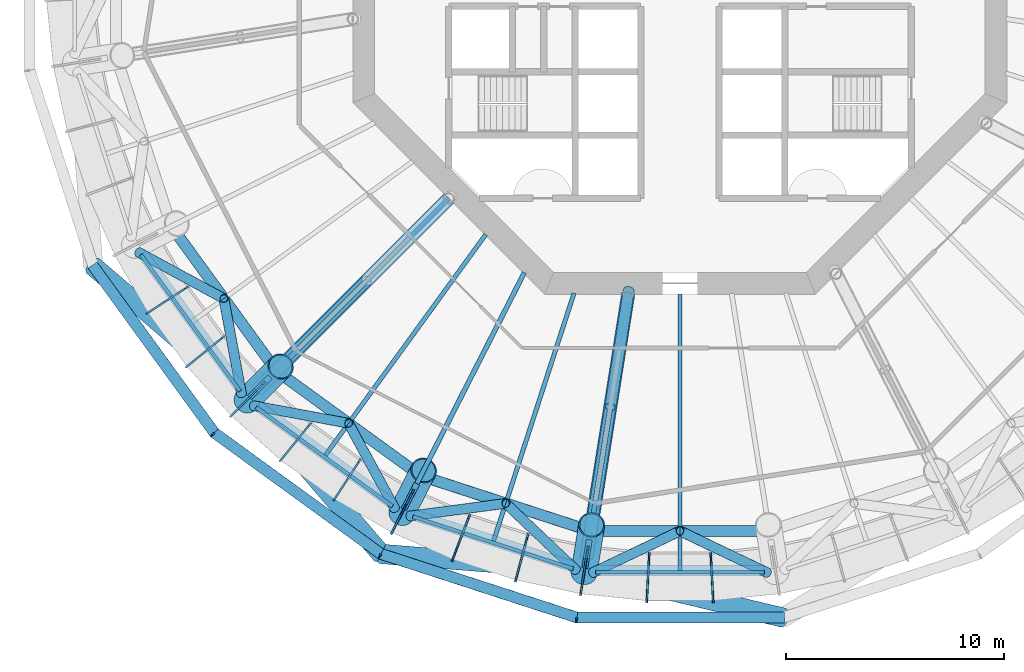
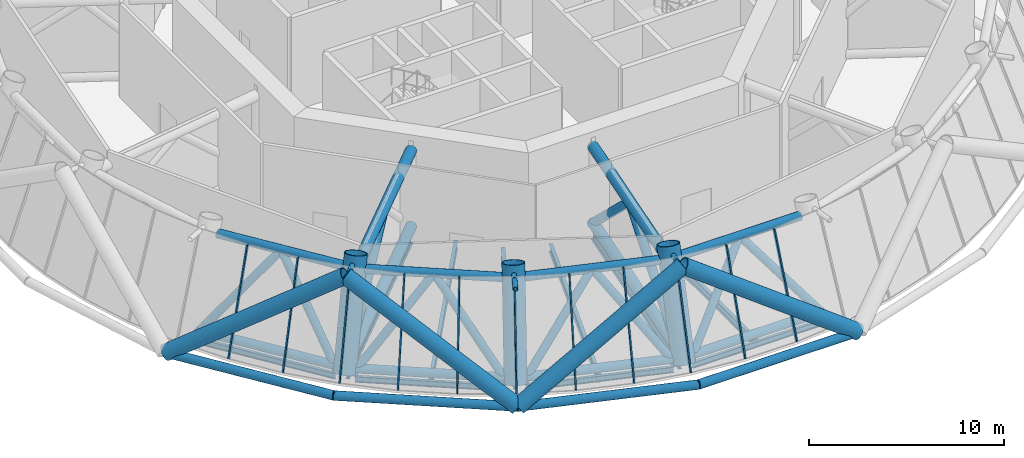
# One storey, part 1 of 15: 48 members, 10 beams, 4 elements without a shape of their own.
"""IFC4 building model written with IfcOpenShell, lengths in metres."""

from ifc_helpers import new_model, si_unit, direction, frame, origin, origin_2d, place, context, subcontext, project, spatial, rectangle, circle, hollow_circle, i_section, extrude, material, layer, layer_set, material_profile, profile_set, type_object, element, aggregate, save


model = new_model("IFC4")

# Units and contexts
model_context = context("Model", 3, precision=1e-05, world=origin(), true_north=direction((0.0, 1.0)))
body_context = subcontext(model_context, "Body", "Model", "MODEL_VIEW")
ifc_project = project(units=[si_unit("LENGTHUNIT", "METRE"), si_unit("AREAUNIT", "SQUARE_METRE"), si_unit("VOLUMEUNIT", "CUBIC_METRE"), si_unit("PLANEANGLEUNIT", "RADIAN"), si_unit("MASSUNIT", "GRAM", prefix="KILO")], contexts=[model_context])

# Site, building, storey
site_placement = place(None, origin())
site = spatial("IfcSite", under=ifc_project, at=site_placement, CompositionType="ELEMENT")
building_placement = place(site_placement, origin())
building = spatial("IfcBuilding", under=site, at=building_placement, Name="Entoto Ring Tower", CompositionType="ELEMENT")
storey_placement = place(building_placement, frame((0.0, 0.0, 200.0)))
storey = spatial("IfcBuildingStorey", under=building, at=storey_placement, Name="L46", CompositionType="ELEMENT", Elevation=200.0)

# Members
ifc_material_1 = material(Name="Steel S355", Category="steel")
ifc_material_profile_1 = material_profile(ifc_material_1, hollow_circle(Radius=0.449951171875, WallThickness=0.044921875, at=origin_2d()), Name="CHS 900 x 45")
ifc_material_2 = material(Name="Concrete C60/75", Category="concrete")
ifc_material_profile_2 = material_profile(ifc_material_2, circle(Radius=0.405029296875, at=origin_2d()), Name="Concrete C60/75 infill")
ifc_profile_set_1 = profile_set([ifc_material_profile_1, ifc_material_profile_2], Name="Steel S355")
member_type_1 = type_object("IfcMemberType", Name="Diagrid diagonal 900 x 45 concrete-filled tube", PredefinedType="BRACE", material=ifc_profile_set_1)
for number, where, z_axis, x_axis, name in (
    (1, (63.091552734375, 66.28955078125, 0.0), (0.639435344437, -0.547626306831, 0.539655323657), (0.650475563514, 0.759527182707, 0.0), "DG2 module 14 12"),
    (2, (76.28955078125, 53.091552734375, 0.0), (-0.547626306831, 0.639435344437, 0.539655323657), (-0.759527182707, -0.650475563514, 0.0), "DG2 module 14 13"),
    (3, (76.28955078125, 53.091552734375, 0.0), (0.839199397204, -0.067171964206, 0.539659428675), (0.079787726213, 0.99681187731, 0.0), "DG2 module 14 14"),
    (4, (94.724365234375, 50.171875, 0.0), (-0.818886187126, 0.195432990063, 0.539658557728), (-0.232137674521, -0.972682939127, 0.0), "DG2 module 14 15"),
):
    element("IfcMember", number, at=place(storey_placement, frame(where, z_axis=z_axis, x_axis=x_axis)), inside=storey, type_object=member_type_1, Name=name, PredefinedType="BRACE", context=body_context, shape_type="SweptSolid", body=[
        extrude(hollow_circle(Radius=0.449951171875, WallThickness=0.044921875, at=origin_2d()), origin(), (0.0, 0.0, 1.0), 11.1181640625),
    ])
ifc_material_3 = material(Name="Steel S355", Category="steel")
ifc_material_profile_3 = material_profile(ifc_material_3, hollow_circle(Radius=0.136474609375, WallThickness=0.012451171875, at=origin_2d()), Name="CHS 273 x 12.5")
ifc_material_4 = material(Name="Concrete C60/75", Category="concrete")
ifc_material_profile_4 = material_profile(ifc_material_4, circle(Radius=0.1240234375, at=origin_2d()), Name="Concrete C60/75 infill")
ifc_profile_set_2 = profile_set([ifc_material_profile_3, ifc_material_profile_4], Name="Steel S355")
member_type_2 = type_object("IfcMemberType", Name="Diagrid node strut 273 x 12.5", PredefinedType="STRUT", material=ifc_profile_set_2)
member_1_placement = place(storey_placement, frame((71.201416015625, 61.201416015625, 5.71337890625), z_axis=(-0.707106781187, -0.707106781187, 0.0), x_axis=(0.707106781187, -0.707106781187, 0.0)))
element("IfcMember", 5, at=member_1_placement, inside=storey, type_object=member_type_2, Name="DS2 strut ring 14 13", PredefinedType="STRUT", context=body_context, shape_type="SweptSolid", body=[
    extrude(hollow_circle(Radius=0.136474609375, WallThickness=0.012451171875, at=origin_2d()), origin(), (0.0, 0.0, 1.0), 1.314697265625),
])
member_2_placement = place(storey_placement, frame((77.9306640625, 56.3125, 5.71337890625), z_axis=(-0.453959157325, -0.891022493252, 0.0), x_axis=(0.891022493252, -0.453959157325, 0.0)))
element("IfcMember", 6, at=member_2_placement, inside=storey, type_object=member_type_2, Name="DS2 strut ring 14 14", PredefinedType="STRUT", context=body_context, shape_type="SweptSolid", body=[
    extrude(hollow_circle(Radius=0.136474609375, WallThickness=0.012451171875, at=origin_2d()), origin(), (0.0, 0.0, 1.0), 1.31494140625),
])
member_3_placement = place(storey_placement, frame((85.841064453125, 53.7421875, 5.71337890625), z_axis=(-0.156353520338, -0.987701157576, 0.0), x_axis=(0.987701157576, -0.156353520338, 0.0)))
element("IfcMember", 7, at=member_3_placement, inside=storey, type_object=member_type_2, Name="DS2 strut ring 14 15", PredefinedType="STRUT", context=body_context, shape_type="SweptSolid", body=[
    extrude(hollow_circle(Radius=0.136474609375, WallThickness=0.012451171875, at=origin_2d()), origin(), (0.0, 0.0, 1.0), 1.314697265625),
])
ifc_material_5 = material(Name="Steel S355", Category="steel")
ifc_material_profile_5 = material_profile(ifc_material_5, hollow_circle(Radius=0.25390625, WallThickness=0.030029296875, at=origin_2d()), Name="CHS 508 x 30")
ifc_material_6 = material(Name="Concrete C60/75", Category="concrete")
ifc_material_profile_6 = material_profile(ifc_material_6, circle(Radius=0.22412109375, at=origin_2d()), Name="Concrete C60/75 infill")
ifc_profile_set_3 = profile_set([ifc_material_profile_5, ifc_material_profile_6], Name="Steel S355")
member_type_3 = type_object("IfcMemberType", Name="Diagrid ring beam 508 x 30", PredefinedType="CHORD", material=ifc_profile_set_3)
for number, where, z_axis, x_axis, name in (
    (8, (63.05615234375, 66.338134765625, 0.0), (0.587786303985, -0.809016230274, 0.0), (0.809016230274, 0.587786303985, 0.0), "DR2 ring 13 11"),
    (9, (68.5966796875, 58.6806640625, 0.0), (0.809016230274, -0.587786303985, 0.0), (0.587786303985, 0.809016230274, 0.0), "DR2 ring 13 12"),
    (10, (76.232177734375, 53.110107421875, 0.0), (0.951064250524, -0.308993189852, 0.0), (0.308993189852, 0.951064250524, 0.0), "DR2 ring 13 13"),
):
    element("IfcMember", number, at=place(storey_placement, frame(where, z_axis=z_axis, x_axis=x_axis)), inside=storey, type_object=member_type_3, Name=name, PredefinedType="CHORD", context=body_context, shape_type="SweptSolid", body=[
        extrude(hollow_circle(Radius=0.25390625, WallThickness=0.030029296875, at=origin_2d()), origin(), (0.0, 0.0, 1.0), 9.569091796875),
    ])
member_4_placement = place(storey_placement, frame((85.21533203125, 50.171875, 0.0), z_axis=(1.0, 0.0, 0.0), x_axis=(0.0, 1.0, 0.0)))
element("IfcMember", 11, at=member_4_placement, inside=storey, type_object=member_type_3, Name="DR2 ring 13 14", PredefinedType="CHORD", context=body_context, shape_type="SweptSolid", body=[
    extrude(hollow_circle(Radius=0.25390625, WallThickness=0.030029296875, at=origin_2d()), origin(), (0.0, 0.0, 1.0), 9.5693359375),
])

# Beams
ifc_material_7 = material(Name="Steel S355", Category="steel")
ifc_material_profile_7 = material_profile(ifc_material_7, i_section(OverallWidth=0.169921875, OverallDepth=0.360107421875, WebThickness=0.008056640625, FlangeThickness=0.0126953125, FilletRadius=0.01806640625, at=origin_2d()), Name="IPE 360")
ifc_profile_set_4 = profile_set([ifc_material_profile_7], Name="Steel S355")
beam_type_1 = type_object("IfcBeamType", Name="Edge beam IPE 360", PredefinedType="SPANDREL", material=ifc_profile_set_4)
for number, where, z_axis, x_axis, name in (
    (12, (65.270263671875, 66.819580078125, -0.330078125), (0.587791153253, -0.809012707043, 0.0), (0.809012707043, 0.587791153253, 0.0), "Edge beam L46 12"),
    (13, (70.5537109375, 59.82275390625, -0.330078125), (0.809012707043, -0.587791153253, 0.0), (0.587791153253, 0.809012707043, 0.0), "Edge beam L46 13"),
    (14, (77.740478515625, 54.801025390625, -0.330078125), (0.951057925874, -0.309012656105, 0.0), (0.309012656105, 0.951057925874, 0.0), "Edge beam L46 14"),
    (15, (86.12744140625, 52.245849609375, -0.330078125), (1.0, 0.0, 0.0), (0.0, 1.0, 0.0), "Edge beam L46 15"),
):
    element("IfcBeam", number, at=place(storey_placement, frame(where, z_axis=z_axis, x_axis=x_axis)), inside=storey, type_object=beam_type_1, Name=name, PredefinedType="SPANDREL", context=body_context, shape_type="SweptSolid", body=[
        extrude(i_section(OverallWidth=0.169921875, OverallDepth=0.360107421875, WebThickness=0.008056640625, FlangeThickness=0.0126953125, FilletRadius=0.01806640625, at=origin_2d()), origin(), (0.0, 0.0, 1.0), 7.7451171875),
    ])

# Curtain wall, members
ifc_material_8 = material(Name="Anodised aluminium", Category="aluminium")
ifc_layer = layer(ifc_material_8, 0.10009765625)
ifc_layer_set = layer_set([ifc_layer], Name="Anodised aluminium")
curtain_wall_type = type_object("IfcCurtainWallType", Name="Louvre curtain wall system CW7", PredefinedType="NOTDEFINED", material=ifc_layer_set)
curtain_wall_1_placement = place(storey_placement, origin())
curtain_wall_1 = element("IfcCurtainWall", 16, at=curtain_wall_1_placement, inside=storey, type_object=curtain_wall_type, Name="CW7 L46-12", PredefinedType="NOTDEFINED")
ifc_material_9 = material(Name="Anodised aluminium", Category="aluminium")
ifc_material_profile_8 = material_profile(ifc_material_9, rectangle(XDim=0.080078125, YDim=0.199951171875, at=origin_2d()), Name="Mullion 80 x 200 mm anodised aluminium")
ifc_profile_set_5 = profile_set([ifc_material_profile_8], Name="Anodised aluminium")
member_type_4 = type_object("IfcMemberType", Name="Mullion 80 x 200 mm anodised aluminium", PredefinedType="MULLION", material=ifc_profile_set_5)
member_5_placement = place(storey_placement, frame((65.599853515625, 64.154296875, 0.034423828125), z_axis=(0.288719812628, 0.187497389991, 0.938874644744), x_axis=(-0.544640161527, 0.838669836379, 0.0)))
member_5 = element("IfcMember", 17, at=member_5_placement, type_object=member_type_4, Name="MULLION L46-34", PredefinedType="MULLION", context=body_context, shape_type="SweptSolid", body=[
    extrude(rectangle(XDim=0.080078125, YDim=0.199951171875, at=origin_2d()), origin(), (0.0, 0.0, 1.0), 6.15771484375),
])
member_6_placement = place(storey_placement, frame((67.389892578125, 61.690673828125, 0.034423828125), z_axis=(0.267510778801, 0.216641306561, 0.938884725361), x_axis=(-0.629347320868, 0.777124153348, 0.0)))
member_6 = element("IfcMember", 18, at=member_6_placement, type_object=member_type_4, Name="MULLION L46-35", PredefinedType="MULLION", context=body_context, shape_type="SweptSolid", body=[
    extrude(rectangle(XDim=0.080078125, YDim=0.199951171875, at=origin_2d()), origin(), (0.0, 0.0, 1.0), 6.157470703125),
])
aggregate(curtain_wall_1, [member_5, member_6])

curtain_wall_2_placement = place(storey_placement, origin())
curtain_wall_2 = element("IfcCurtainWall", 19, at=curtain_wall_2_placement, inside=storey, type_object=curtain_wall_type, Name="CW7 L46-13", PredefinedType="NOTDEFINED")
member_7_placement = place(storey_placement, frame((69.427490234375, 59.427490234375, 0.034423828125), z_axis=(0.243439738428, 0.243439738428, 0.938868567749), x_axis=(-0.707106781187, 0.707106781187, 0.0)))
member_7 = element("IfcMember", 20, at=member_7_placement, type_object=member_type_4, Name="MULLION L46-36", PredefinedType="MULLION", context=body_context, shape_type="SweptSolid", body=[
    extrude(rectangle(XDim=0.080078125, YDim=0.199951171875, at=origin_2d()), origin(), (0.0, 0.0, 1.0), 6.15771484375),
])
member_8_placement = place(storey_placement, frame((71.690673828125, 57.389892578125, 0.034423828125), z_axis=(0.216641306561, 0.267510778801, 0.938884725361), x_axis=(-0.777124153348, 0.629347320868, 0.0)))
member_8 = element("IfcMember", 21, at=member_8_placement, type_object=member_type_4, Name="MULLION L46-37", PredefinedType="MULLION", context=body_context, shape_type="SweptSolid", body=[
    extrude(rectangle(XDim=0.080078125, YDim=0.199951171875, at=origin_2d()), origin(), (0.0, 0.0, 1.0), 6.157470703125),
])
member_9_placement = place(storey_placement, frame((74.154296875, 55.599853515625, 0.034423828125), z_axis=(0.187497389991, 0.288719812628, 0.938874644744), x_axis=(-0.838669836379, 0.544640161527, 0.0)))
member_9 = element("IfcMember", 22, at=member_9_placement, type_object=member_type_4, Name="MULLION L46-38", PredefinedType="MULLION", context=body_context, shape_type="SweptSolid", body=[
    extrude(rectangle(XDim=0.080078125, YDim=0.199951171875, at=origin_2d()), origin(), (0.0, 0.0, 1.0), 6.15771484375),
])
aggregate(curtain_wall_2, [member_7, member_8, member_9])

curtain_wall_3_placement = place(storey_placement, origin())
curtain_wall_3 = element("IfcCurtainWall", 23, at=curtain_wall_3_placement, inside=storey, type_object=curtain_wall_type, Name="CW7 L46-14", PredefinedType="NOTDEFINED")
member_10_placement = place(storey_placement, frame((76.791748046875, 54.0771484375, 0.034423828125), z_axis=(0.156256126475, 0.30672352053, 0.938884819822), x_axis=(-0.891038617863, 0.453927506851, 0.0)))
member_10 = element("IfcMember", 24, at=member_10_placement, type_object=member_type_4, Name="MULLION L46-39", PredefinedType="MULLION", context=body_context, shape_type="SweptSolid", body=[
    extrude(rectangle(XDim=0.080078125, YDim=0.199951171875, at=origin_2d()), origin(), (0.0, 0.0, 1.0), 6.157470703125),
])
member_11_placement = place(storey_placement, frame((79.57373046875, 52.838623046875, 0.034423828125), z_axis=(0.123348338405, 0.321355925032, 0.938890598983), x_axis=(-0.933588827568, 0.358346063241, 0.0)))
member_11 = element("IfcMember", 25, at=member_11_placement, type_object=member_type_4, Name="MULLION L46-40", PredefinedType="MULLION", context=body_context, shape_type="SweptSolid", body=[
    extrude(rectangle(XDim=0.080078125, YDim=0.199951171875, at=origin_2d()), origin(), (0.0, 0.0, 1.0), 6.157470703125),
])
member_12_placement = place(storey_placement, frame((82.469970703125, 51.8974609375, 0.034423828125), z_axis=(0.089090018447, 0.332531368364, 0.938874782741), x_axis=(-0.965934172097, 0.258787896113, 0.0)))
member_12 = element("IfcMember", 26, at=member_12_placement, type_object=member_type_4, Name="MULLION L46-41", PredefinedType="MULLION", context=body_context, shape_type="SweptSolid", body=[
    extrude(rectangle(XDim=0.080078125, YDim=0.199951171875, at=origin_2d()), origin(), (0.0, 0.0, 1.0), 6.15771484375),
])
aggregate(curtain_wall_3, [member_10, member_11, member_12])

curtain_wall_4_placement = place(storey_placement, origin())
curtain_wall_4 = element("IfcCurtainWall", 27, at=curtain_wall_4_placement, inside=storey, type_object=curtain_wall_type, Name="CW7 L46-15", PredefinedType="NOTDEFINED")
member_13_placement = place(storey_placement, frame((85.44873046875, 51.264404296875, 0.034423828125), z_axis=(0.053843242336, 0.339989545679, 0.938886582119), x_axis=(-0.987690949022, 0.156417995192, 0.0)))
member_13 = element("IfcMember", 28, at=member_13_placement, type_object=member_type_4, Name="MULLION L46-42", PredefinedType="MULLION", context=body_context, shape_type="SweptSolid", body=[
    extrude(rectangle(XDim=0.080078125, YDim=0.199951171875, at=origin_2d()), origin(), (0.0, 0.0, 1.0), 6.157470703125),
])
member_14_placement = place(storey_placement, frame((88.477294921875, 50.946044921875, 0.034423828125), z_axis=(0.018040245499, 0.343755886761, 0.938885743773), x_axis=(-0.998625772436, 0.052407696247, 0.0)))
member_14 = element("IfcMember", 29, at=member_14_placement, type_object=member_type_4, Name="MULLION L46-43", PredefinedType="MULLION", context=body_context, shape_type="SweptSolid", body=[
    extrude(rectangle(XDim=0.080078125, YDim=0.199951171875, at=origin_2d()), origin(), (0.0, 0.0, 1.0), 6.157470703125),
])
member_15_placement = place(storey_placement, frame((91.522705078125, 50.946044921875, 0.034423828125), z_axis=(-0.018040245499, 0.343755886761, 0.938885743773), x_axis=(-0.998625772436, -0.052407696247, 0.0)))
member_15 = element("IfcMember", 30, at=member_15_placement, type_object=member_type_4, Name="MULLION L46-44", PredefinedType="MULLION", context=body_context, shape_type="SweptSolid", body=[
    extrude(rectangle(XDim=0.080078125, YDim=0.199951171875, at=origin_2d()), origin(), (0.0, 0.0, 1.0), 6.157470703125),
])
aggregate(curtain_wall_4, [member_13, member_14, member_15])

# Members
ifc_material_10 = material(Name="Steel S355", Category="steel")
ifc_material_profile_9 = material_profile(ifc_material_10, hollow_circle(Radius=0.304931640625, WallThickness=0.030029296875, at=origin_2d()), Name="CHS 610 x 30")
ifc_material_11 = material(Name="Concrete C60/75", Category="concrete")
ifc_material_profile_10 = material_profile(ifc_material_11, circle(Radius=0.27490234375, at=origin_2d()), Name="Concrete C60/75 infill")
ifc_profile_set_6 = profile_set([ifc_material_profile_9, ifc_material_profile_10], Name="Steel S355")
member_type_5 = type_object("IfcMemberType", Name="Outrigger chord 610 x 30", PredefinedType="CHORD", material=ifc_profile_set_6)
member_16_placement = place(storey_placement, frame((79.407470703125, 69.407470703125, 0.304931640625), z_axis=(-0.707106781187, -0.707106781187, 0.0), x_axis=(0.707106781187, -0.707106781187, 0.0)))
element("IfcMember", 31, at=member_16_placement, inside=storey, type_object=member_type_5, Name="OR1B L46 bottom 07", PredefinedType="CHORD", context=body_context, shape_type="SweptSolid", body=[
    extrude(hollow_circle(Radius=0.304931640625, WallThickness=0.030029296875, at=origin_2d()), origin(), (0.0, 0.0, 1.0), 12.47802734375),
])
member_17_placement = place(storey_placement, frame((79.407470703125, 69.407470703125, 5.044921875), z_axis=(-0.707106781187, -0.707106781187, 0.0), x_axis=(0.707106781187, -0.707106781187, 0.0)))
element("IfcMember", 32, at=member_17_placement, inside=storey, type_object=member_type_5, Name="OR1B L46 top 07", PredefinedType="CHORD", context=body_context, shape_type="SweptSolid", body=[
    extrude(hollow_circle(Radius=0.304931640625, WallThickness=0.030029296875, at=origin_2d()), origin(), (0.0, 0.0, 1.0), 10.739990234375),
])
member_18_placement = place(storey_placement, frame((87.635009765625, 65.0673828125, 0.304931640625), z_axis=(-0.156446183477, -0.987686484506, 0.0), x_axis=(0.987686484506, -0.156446183477, 0.0)))
element("IfcMember", 33, at=member_18_placement, inside=storey, type_object=member_type_5, Name="OR1B L46 bottom 08", PredefinedType="CHORD", context=body_context, shape_type="SweptSolid", body=[
    extrude(hollow_circle(Radius=0.304931640625, WallThickness=0.030029296875, at=origin_2d()), origin(), (0.0, 0.0, 1.0), 12.339111328125),
])
member_19_placement = place(storey_placement, frame((87.635009765625, 65.0673828125, 5.044921875), z_axis=(-0.156439140715, -0.98768760003, 0.0), x_axis=(0.98768760003, -0.156439140715, 0.0)))
element("IfcMember", 34, at=member_19_placement, inside=storey, type_object=member_type_5, Name="OR1B L46 top 08", PredefinedType="CHORD", context=body_context, shape_type="SweptSolid", body=[
    extrude(hollow_circle(Radius=0.304931640625, WallThickness=0.030029296875, at=origin_2d()), origin(), (0.0, 0.0, 1.0), 10.601318359375),
])
ifc_material_12 = material(Name="Steel S355", Category="steel")
ifc_material_profile_11 = material_profile(ifc_material_12, hollow_circle(Radius=0.25390625, WallThickness=0.030029296875, at=origin_2d()), Name="CHS 508 x 30")
ifc_material_13 = material(Name="Concrete C60/75", Category="concrete")
ifc_material_profile_12 = material_profile(ifc_material_13, circle(Radius=0.22412109375, at=origin_2d()), Name="Concrete C60/75 infill")
ifc_profile_set_7 = profile_set([ifc_material_profile_11, ifc_material_profile_12], Name="Steel S355")
member_type_6 = type_object("IfcMemberType", Name="Outrigger diagonal 508 x 30", PredefinedType="BRACE", material=ifc_profile_set_7)
member_20_placement = place(storey_placement, frame((75.6279296875, 65.6279296875, 5.044921875), z_axis=(-0.587151050973, -0.587151050973, -0.557231806956), x_axis=(0.707106781187, -0.707106781187, 0.0)))
element("IfcMember", 35, at=member_20_placement, inside=storey, type_object=member_type_6, Name="OR2B L46 07 2", PredefinedType="BRACE", context=body_context, shape_type="SweptSolid", body=[
    extrude(hollow_circle(Radius=0.25390625, WallThickness=0.030029296875, at=origin_2d()), origin(), (0.0, 0.0, 1.0), 8.649658203125),
])
member_21_placement = place(storey_placement, frame((87.654052734375, 65.187744140625, 0.1328125), z_axis=(-0.115929950961, -0.731953812431, 0.671419289966), x_axis=(0.98768837061, -0.156434275531, 0.0)))
element("IfcMember", 36, at=member_21_placement, inside=storey, type_object=member_type_6, Name="OR2B L46 08 1", PredefinedType="BRACE", context=body_context, shape_type="SweptSolid", body=[
    extrude(hollow_circle(Radius=0.25390625, WallThickness=0.030029296875, at=origin_2d()), origin(), (0.0, 0.0, 1.0), 7.31591796875),
])
member_22_placement = place(storey_placement, frame((86.805908203125, 59.832763671875, 5.044921875), z_axis=(-0.129356416621, -0.816713646916, -0.562357303162), x_axis=(0.987688026165, -0.156436450262, 0.0)))
element("IfcMember", 37, at=member_22_placement, inside=storey, type_object=member_type_6, Name="OR2B L46 08 2", PredefinedType="BRACE", context=body_context, shape_type="SweptSolid", body=[
    extrude(hollow_circle(Radius=0.25390625, WallThickness=0.030029296875, at=origin_2d()), origin(), (0.0, 0.0, 1.0), 8.57421875),
])

# Beams
ifc_material_14 = material(Name="Steel S355", Category="steel")
ifc_material_profile_13 = material_profile(ifc_material_14, i_section(OverallWidth=0.219970703125, OverallDepth=0.60009765625, WebThickness=0.011962890625, FlangeThickness=0.01904296875, FilletRadius=0.02392578125, at=origin_2d()), Name="IPE 600")
ifc_profile_set_8 = profile_set([ifc_material_profile_13], Name="Steel S355")
beam_type_2 = type_object("IfcBeamType", Name="Primary floor beam IPE 600", PredefinedType="BEAM", material=ifc_profile_set_8)
beam_1_placement = place(storey_placement, frame((79.407470703125, 69.407470703125, -0.449951171875), z_axis=(-0.707106781187, -0.707106781187, 0.0), x_axis=(0.707106781187, -0.707106781187, 0.0)))
element("IfcBeam", 38, at=beam_1_placement, inside=storey, type_object=beam_type_2, Name="Primary L46 R13", PredefinedType="BEAM", context=body_context, shape_type="SweptSolid", body=[
    extrude(i_section(OverallWidth=0.219970703125, OverallDepth=0.60009765625, WebThickness=0.011962890625, FlangeThickness=0.01904296875, FilletRadius=0.02392578125, at=origin_2d()), origin(), (0.0, 0.0, 1.0), 12.601318359375),
])
beam_2_placement = place(storey_placement, frame((82.864990234375, 65.996826171875, -0.449951171875), z_axis=(-0.453982805399, -0.891010444609, 0.0), x_axis=(0.891010444609, -0.453982805399, 0.0)))
element("IfcBeam", 39, at=beam_2_placement, inside=storey, type_object=beam_type_2, Name="Primary L46 R14", PredefinedType="BEAM", context=body_context, shape_type="SweptSolid", body=[
    extrude(i_section(OverallWidth=0.219970703125, OverallDepth=0.60009765625, WebThickness=0.011962890625, FlangeThickness=0.01904296875, FilletRadius=0.02392578125, at=origin_2d()), origin(), (0.0, 0.0, 1.0), 11.864990234375),
])
beam_3_placement = place(storey_placement, frame((87.630126953125, 65.036865234375, -0.449951171875), z_axis=(-0.156441579247, -0.987687213789, 0.0), x_axis=(0.987687213789, -0.156441579247, 0.0)))
element("IfcBeam", 40, at=beam_3_placement, inside=storey, type_object=beam_type_2, Name="Primary L46 R15", PredefinedType="BEAM", context=body_context, shape_type="SweptSolid", body=[
    extrude(i_section(OverallWidth=0.219970703125, OverallDepth=0.60009765625, WebThickness=0.011962890625, FlangeThickness=0.01904296875, FilletRadius=0.02392578125, at=origin_2d()), origin(), (0.0, 0.0, 1.0), 12.431640625),
])

# Members
ifc_material_15 = material(Name="Steel S355", Category="steel")
ifc_material_profile_14 = material_profile(ifc_material_15, hollow_circle(Radius=0.60009765625, WallThickness=0.054931640625, at=origin_2d()), Name="CHS 1200 x 55")
ifc_material_16 = material(Name="Concrete C60/75", Category="concrete")
ifc_material_profile_15 = material_profile(ifc_material_16, circle(Radius=0.544921875, at=origin_2d()), Name="Concrete C60/75 infill")
ifc_profile_set_9 = profile_set([ifc_material_profile_14, ifc_material_profile_15], Name="Steel S355")
member_type_7 = type_object("IfcMemberType", Name="Ring column jog 1200 x 55 concrete-filled tube", PredefinedType="STRUT", material=ifc_profile_set_9)
for number, where, z_axis, x_axis, name in (
    (41, (70.13037109375, 60.13037109375, 0.0), (0.243428816819, 0.243428816819, 0.938874231346), (-0.707106781187, 0.707106781187, 0.0), "RJ3B R13"),
    (42, (77.242919921875, 54.962646484375, 0.0), (0.156288439927, 0.306731822092, 0.938876729322), (-0.891005618941, 0.453992276384, 0.0), "RJ3B R14"),
    (43, (85.604248046875, 52.245849609375, 0.0), (0.053827545825, 0.340041863298, 0.938868535267), (-0.987701708488, 0.156350040137, 0.0), "RJ3B R15"),
):
    element("IfcMember", number, at=place(storey_placement, frame(where, z_axis=z_axis, x_axis=x_axis)), inside=storey, type_object=member_type_7, Name=name, PredefinedType="STRUT", context=body_context, shape_type="SweptSolid", body=[
        extrude(hollow_circle(Radius=0.60009765625, WallThickness=0.054931640625, at=origin_2d()), origin(), (0.0, 0.0, 1.0), 6.390625),
    ])
ifc_material_17 = material(Name="Steel S355", Category="steel")
ifc_material_profile_16 = material_profile(ifc_material_17, hollow_circle(Radius=0.25390625, WallThickness=0.030029296875, at=origin_2d()), Name="CHS 508 x 30")
ifc_material_18 = material(Name="Concrete C60/75", Category="concrete")
ifc_material_profile_17 = material_profile(ifc_material_18, circle(Radius=0.22412109375, at=origin_2d()), Name="Concrete C60/75 infill")
ifc_profile_set_10 = profile_set([ifc_material_profile_16, ifc_material_profile_17], Name="Steel S355")
member_type_8 = type_object("IfcMemberType", Name="Ring truss chord 508 x 30", PredefinedType="CHORD", material=ifc_profile_set_10)
member_23_placement = place(storey_placement, frame((65.355224609375, 66.859130859375, 0.25390625), z_axis=(0.587785626143, -0.809016722756, 0.0), x_axis=(0.809016722756, 0.587785626143, 0.0)))
element("IfcMember", 44, at=member_23_placement, inside=storey, type_object=member_type_8, Name="BT1 L46 bottom 12", PredefinedType="CHORD", context=body_context, shape_type="SweptSolid", body=[
    extrude(hollow_circle(Radius=0.25390625, WallThickness=0.030029296875, at=origin_2d()), origin(), (0.0, 0.0, 1.0), 7.70947265625),
])
member_24_placement = place(storey_placement, frame((66.98291015625, 67.6884765625, 5.236083984375), z_axis=(0.587787257786, -0.809015537295, 0.0), x_axis=(0.809015537295, 0.587787257786, 0.0)))
element("IfcMember", 45, at=member_24_placement, inside=storey, type_object=member_type_8, Name="BT1 L46 top 12", PredefinedType="CHORD", context=body_context, shape_type="SweptSolid", body=[
    extrude(hollow_circle(Radius=0.25390625, WallThickness=0.030029296875, at=origin_2d()), origin(), (0.0, 0.0, 1.0), 7.137939453125),
])
member_25_placement = place(storey_placement, frame((70.6220703125, 59.88671875, 0.25390625), z_axis=(0.809016722756, -0.587785626143, 0.0), x_axis=(0.587785626143, 0.809016722756, 0.0)))
element("IfcMember", 46, at=member_25_placement, inside=storey, type_object=member_type_8, Name="BT1 L46 bottom 13", PredefinedType="CHORD", context=body_context, shape_type="SweptSolid", body=[
    extrude(hollow_circle(Radius=0.25390625, WallThickness=0.030029296875, at=origin_2d()), origin(), (0.0, 0.0, 1.0), 7.70947265625),
])
member_26_placement = place(storey_placement, frame((71.913818359375, 61.178466796875, 5.236083984375), z_axis=(0.809015537295, -0.587787257786, 0.0), x_axis=(0.587787257786, 0.809015537295, 0.0)))
element("IfcMember", 47, at=member_26_placement, inside=storey, type_object=member_type_8, Name="BT1 L46 top 13", PredefinedType="CHORD", context=body_context, shape_type="SweptSolid", body=[
    extrude(hollow_circle(Radius=0.25390625, WallThickness=0.030029296875, at=origin_2d()), origin(), (0.0, 0.0, 1.0), 7.137939453125),
])
member_27_placement = place(storey_placement, frame((77.785888671875, 54.883056640625, 0.25390625), z_axis=(0.951056407564, -0.309017329016, 0.0), x_axis=(0.309017329016, 0.951056407564, 0.0)))
element("IfcMember", 48, at=member_27_placement, inside=storey, type_object=member_type_8, Name="BT1 L46 bottom 14", PredefinedType="CHORD", context=body_context, shape_type="SweptSolid", body=[
    extrude(hollow_circle(Radius=0.25390625, WallThickness=0.030029296875, at=origin_2d()), origin(), (0.0, 0.0, 1.0), 7.70947265625),
])
member_28_placement = place(storey_placement, frame((78.615234375, 56.510498046875, 5.236083984375), z_axis=(0.95106372418, -0.308994809906, 0.0), x_axis=(0.308994809906, 0.95106372418, 0.0)))
element("IfcMember", 49, at=member_28_placement, inside=storey, type_object=member_type_8, Name="BT1 L46 top 14", PredefinedType="CHORD", context=body_context, shape_type="SweptSolid", body=[
    extrude(hollow_circle(Radius=0.25390625, WallThickness=0.030029296875, at=origin_2d()), origin(), (0.0, 0.0, 1.0), 7.137939453125),
])
member_29_placement = place(storey_placement, frame((86.145263671875, 52.337890625, 0.25390625), z_axis=(1.0, 0.0, 0.0), x_axis=(0.0, 1.0, 0.0)))
element("IfcMember", 50, at=member_29_placement, inside=storey, type_object=member_type_8, Name="BT1 L46 bottom 15", PredefinedType="CHORD", context=body_context, shape_type="SweptSolid", body=[
    extrude(hollow_circle(Radius=0.25390625, WallThickness=0.030029296875, at=origin_2d()), origin(), (0.0, 0.0, 1.0), 7.70947265625),
])
member_30_placement = place(storey_placement, frame((86.43115234375, 54.14208984375, 5.236083984375), z_axis=(1.0, 0.0, 0.0), x_axis=(0.0, 1.0, 0.0)))
element("IfcMember", 51, at=member_30_placement, inside=storey, type_object=member_type_8, Name="BT1 L46 top 15", PredefinedType="CHORD", context=body_context, shape_type="SweptSolid", body=[
    extrude(hollow_circle(Radius=0.25390625, WallThickness=0.030029296875, at=origin_2d()), origin(), (0.0, 0.0, 1.0), 7.1376953125),
])
ifc_material_19 = material(Name="Steel S355", Category="steel")
ifc_material_profile_18 = material_profile(ifc_material_19, hollow_circle(Radius=0.228515625, WallThickness=0.02001953125, at=origin_2d()), Name="CHS 457 x 20")
ifc_material_20 = material(Name="Concrete C60/75", Category="concrete")
ifc_material_profile_19 = material_profile(ifc_material_20, circle(Radius=0.20849609375, at=origin_2d()), Name="Concrete C60/75 infill")
ifc_profile_set_11 = profile_set([ifc_material_profile_18, ifc_material_profile_19], Name="Steel S355")
member_type_9 = type_object("IfcMemberType", Name="Ring truss diagonal 457 x 20", PredefinedType="BRACE", material=ifc_profile_set_11)
for number, where, z_axis, x_axis, name in (
    (52, (65.1796875, 66.91845703125, -0.041748046875), (0.565672492401, -0.307016638759, 0.765346597867), (0.477016600018, 0.878894284489, 0.0), "BT2 L46 12 a"),
    (53, (69.08056640625, 64.80126953125, 5.236083984375), (0.117184081694, -0.632864847242, -0.765343044734), (0.983285652394, 0.182069563069, 0.0), "BT2 L46 12 b"),
    (54, (70.43701171875, 59.888671875, -0.041748046875), (0.632864847242, -0.117184081694, 0.765343044734), (0.182069563069, 0.983285652394, 0.0), "BT2 L46 13 a"),
    (55, (74.80126953125, 59.08056640625, 5.236083984375), (0.307016638759, -0.565672492401, -0.765346597867), (0.878894284489, 0.477016600018, 0.0), "BT2 L46 13 b"),
    (56, (77.609130859375, 54.827880859375, -0.041748046875), (0.638105407781, 0.084082353722, 0.765344135898), (-0.130639486565, 0.991429939305, 0.0), "BT2 L46 14 a"),
    (57, (82.009521484375, 55.40771484375, 5.236083984375), (0.466792960745, -0.4431081302, -0.765349277618), (0.688467508052, 0.725267185496, 0.0), "BT2 L46 14 b"),
    (58, (85.994140625, 52.230712890625, -0.041748046875), (0.580890180313, 0.277169016435, 0.76533909788), (-0.430635910713, 0.902525740577, 0.0), "BT2 L46 15 a"),
    (59, (90.0, 54.14208984375, 5.236083984375), (0.580890180313, -0.277169016435, -0.76533909788), (0.430635910713, 0.902525740577, 0.0), "BT2 L46 15 b"),
):
    element("IfcMember", number, at=place(storey_placement, frame(where, z_axis=z_axis, x_axis=x_axis)), inside=storey, type_object=member_type_9, Name=name, PredefinedType="BRACE", context=body_context, shape_type="SweptSolid", body=[
        extrude(hollow_circle(Radius=0.228515625, WallThickness=0.02001953125, at=origin_2d()), origin(), (0.0, 0.0, 1.0), 6.89599609375),
    ])

# Beams
ifc_material_21 = material(Name="Steel S355", Category="steel")
ifc_material_profile_20 = material_profile(ifc_material_21, i_section(OverallWidth=0.199951171875, OverallDepth=0.5, WebThickness=0.01025390625, FlangeThickness=0.01611328125, FilletRadius=0.02099609375, at=origin_2d()), Name="IPE 500")
ifc_profile_set_12 = profile_set([ifc_material_profile_20], Name="Steel S355")
beam_type_3 = type_object("IfcBeamType", Name="Secondary floor beam IPE 500", PredefinedType="JOIST", material=ifc_profile_set_12)
beam_4_placement = place(storey_placement, frame((81.094482421875, 67.742431640625, -0.39990234375), z_axis=(-0.587788946436, -0.80901431041, 0.0), x_axis=(0.80901431041, -0.587788946436, 0.0)))
element("IfcBeam", 60, at=beam_4_placement, inside=storey, type_object=beam_type_3, Name="Secondary beam L46 13", PredefinedType="JOIST", context=body_context, shape_type="SweptSolid", body=[
    extrude(i_section(OverallWidth=0.199951171875, OverallDepth=0.5, WebThickness=0.01025390625, FlangeThickness=0.01611328125, FilletRadius=0.02099609375, at=origin_2d()), origin(), (0.0, 0.0, 1.0), 12.51806640625),
])
beam_5_placement = place(storey_placement, frame((85.142333984375, 65.0498046875, -0.39990234375), z_axis=(-0.30901677521, -0.951056587506, 0.0), x_axis=(0.951056587506, -0.30901677521, 0.0)))
element("IfcBeam", 61, at=beam_5_placement, inside=storey, type_object=beam_type_3, Name="Secondary beam L46 14", PredefinedType="JOIST", context=body_context, shape_type="SweptSolid", body=[
    extrude(i_section(OverallWidth=0.199951171875, OverallDepth=0.5, WebThickness=0.01025390625, FlangeThickness=0.01611328125, FilletRadius=0.02099609375, at=origin_2d()), origin(), (0.0, 0.0, 1.0), 11.94970703125),
])
beam_6_placement = place(storey_placement, frame((90.0, 65.02001953125, -0.39990234375), z_axis=(0.0, -1.0, 0.0), x_axis=(1.0, 0.0, 0.0)))
element("IfcBeam", 62, at=beam_6_placement, inside=storey, type_object=beam_type_3, Name="Secondary beam L46 15", PredefinedType="JOIST", context=body_context, shape_type="SweptSolid", body=[
    extrude(i_section(OverallWidth=0.199951171875, OverallDepth=0.5, WebThickness=0.01025390625, FlangeThickness=0.01611328125, FilletRadius=0.02099609375, at=origin_2d()), origin(), (0.0, 0.0, 1.0), 12.68896484375),
])

save(model, "model.ifc")
